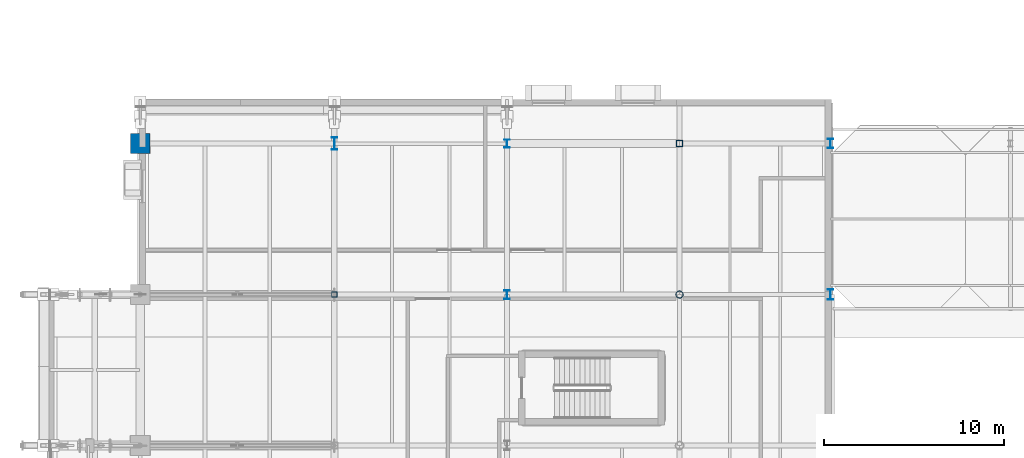
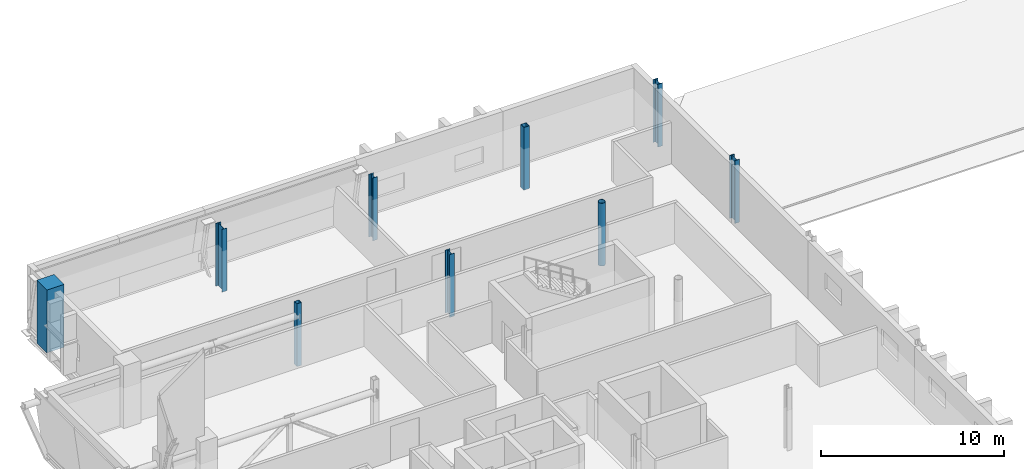
# One storey, part 3 of 90: 9 columns.
"""IFC4 building model written with IfcOpenShell, lengths in metres."""

import ifcopenshell
import ifcopenshell.guid

model = None  # the IFC model being written
_history = None  # IfcOwnerHistory: only IFC2X3 demands one
_inside = {}  # id of a spatial element -> (the spatial element, [elements in it])
_under = {}  # id of a project, library or spatial element -> (it, [spatial elements below it])
_declared = {}  # id of a project -> (the project, [libraries it declares])
_typed = {}  # id of a type object -> (the type object, [elements of that type])
_made_of = {}  # id of a material, layer set ... -> (it, [elements and type objects made of it])


def new_model(schema):
    """Start an empty IFC model of exactly this schema.

    Asked for "IFC4X3", IfcOpenShell would pick the latest addendum, in which some entities
    have other attributes; the version numbers below select the first issue.
    IFC2X3 requires an IfcOwnerHistory on every rooted entity: one is made here for all.
    """
    global model, _history
    if schema == "IFC4X3":
        model = ifcopenshell.file(schema_version=(4, 3, 0, 0))
    else:
        model = ifcopenshell.file(schema=schema)
    _inside.clear()
    _under.clear()
    _declared.clear()
    _typed.clear()
    _made_of.clear()
    _history = None
    if model.schema == "IFC2X3":
        org = make("IfcOrganization", Name="unknown")
        user = make(
            "IfcPersonAndOrganization",
            ThePerson=make("IfcPerson", FamilyName="unknown"),
            TheOrganization=org,
        )
        app = make(
            "IfcApplication",
            ApplicationDeveloper=org,
            Version="unknown",
            ApplicationFullName="unknown",
            ApplicationIdentifier="unknown",
        )
        _history = make(
            "IfcOwnerHistory",
            OwningUser=user,
            OwningApplication=app,
            ChangeAction="ADDED",
            CreationDate=0,
        )
    return model


def make(cls, **values):
    """One entity of the class cls with the attributes given. An attribute that is None is left unset."""
    return model.create_entity(
        cls, **{name: value for name, value in values.items() if value is not None}
    )


def rooted(cls, **values):
    """An entity with a GlobalId (a new one), such as an element, a storey or a relation."""
    return make(cls, GlobalId=ifcopenshell.guid.new(), OwnerHistory=_history, **values)


def si_unit(unit_type, name, prefix=None):
    """IfcSIUnit, for example si_unit("LENGTHUNIT", "METRE", prefix="MILLI")."""
    return make("IfcSIUnit", UnitType=unit_type, Prefix=prefix, Name=name)


def assignment(units):
    """IfcUnitAssignment: the units of a project."""
    return None if units is None else make("IfcUnitAssignment", Units=units)


def point(xyz):
    """IfcCartesianPoint."""
    return None if xyz is None else make("IfcCartesianPoint", Coordinates=xyz)


def direction(xyz):
    """IfcDirection."""
    return None if xyz is None else make("IfcDirection", DirectionRatios=xyz)


def frame(location, z_axis=None, x_axis=None):
    """IfcAxis2Placement3D, a coordinate frame: its origin and axes. An axis left out is left unset."""
    return make(
        "IfcAxis2Placement3D",
        Location=point(location),
        Axis=direction(z_axis),
        RefDirection=direction(x_axis),
    )


def frame_2d(location, x_axis=None):
    """IfcAxis2Placement2D, a coordinate frame in the plane: its origin and x axis."""
    return make(
        "IfcAxis2Placement2D", Location=point(location), RefDirection=direction(x_axis)
    )


def origin():
    """The frame at (0, 0, 0) with its axes left unset."""
    return frame((0.0, 0.0, 0.0))


def origin_2d():
    """The frame at (0, 0) in the plane with its x axis left unset."""
    return frame_2d((0.0, 0.0))


def place(relative_to, where):
    """IfcLocalPlacement: puts the frame where relative to a parent placement (None: the world)."""
    return make(
        "IfcLocalPlacement", PlacementRelTo=relative_to, RelativePlacement=where
    )


def context(
    kind, dimensions, precision=None, world=None, true_north=None, identifier=None
):
    """IfcGeometricRepresentationContext, for example the 3D "Model" context."""
    return make(
        "IfcGeometricRepresentationContext",
        ContextIdentifier=identifier,
        ContextType=kind,
        CoordinateSpaceDimension=dimensions,
        Precision=precision,
        WorldCoordinateSystem=world,
        TrueNorth=true_north,
    )


def subcontext(parent, identifier, kind, view, scale=None):
    """IfcGeometricRepresentationSubContext, for example "Body" below "Model"."""
    return make(
        "IfcGeometricRepresentationSubContext",
        ContextIdentifier=identifier,
        ContextType=kind,
        ParentContext=parent,
        TargetScale=scale,
        TargetView=view,
    )


def project(units=None, contexts=None):
    """IfcProject with its units and contexts."""
    return rooted(
        "IfcProject",
        Name="project",
        RepresentationContexts=contexts,
        UnitsInContext=assignment(units),
    )


def spatial(cls, under=None, at=None, **own):
    """A site, building, storey or space (cls), placed at a placement, below another one or the project."""
    s = rooted(cls, ObjectPlacement=at, **own)
    if under is not None:
        _under.setdefault(under.id(), (under, []))[1].append(s)
    return s


def profile(cls, at=None, kind="AREA", **sizes):
    """A parametric profile (cls). Its sizes go by their IFC names, for example OverallWidth=200.0."""
    return make(cls, ProfileType=kind, Position=at, **sizes)


def rectangle(**sizes):
    """IfcRectangleProfileDef."""
    return profile("IfcRectangleProfileDef", **sizes)


def hollow_rectangle(**sizes):
    """IfcRectangleHollowProfileDef."""
    return profile("IfcRectangleHollowProfileDef", **sizes)


def hollow_circle(**sizes):
    """IfcCircleHollowProfileDef."""
    return profile("IfcCircleHollowProfileDef", **sizes)


def i_section(**sizes):
    """IfcIShapeProfileDef."""
    return profile("IfcIShapeProfileDef", **sizes)


def extrude(swept, where, along, depth):
    """IfcExtrudedAreaSolid: the profile swept, set in the frame where, extruded along a direction by depth."""
    return make(
        "IfcExtrudedAreaSolid",
        SweptArea=swept,
        Position=where,
        ExtrudedDirection=direction(along),
        Depth=depth,
    )


def shape(context_of_items, identifier, shape_type, items):
    """IfcShapeRepresentation: the items that make up one representation, for example the "Body"."""
    return make(
        "IfcShapeRepresentation",
        ContextOfItems=context_of_items,
        RepresentationIdentifier=identifier,
        RepresentationType=shape_type,
        Items=items,
    )


def material(Name=None, Category=None):
    """IfcMaterial."""
    return make("IfcMaterial", Name=Name, Category=Category)


def material_profile(
    of_material, cross_section, Name=None, Category=None, Priority=None
):
    """IfcMaterialProfile: a cross section and its material."""
    return make(
        "IfcMaterialProfile",
        Name=Name,
        Material=of_material,
        Profile=cross_section,
        Priority=Priority,
        Category=Category,
    )


def profile_set(profiles, Name=None, composite=None):
    """IfcMaterialProfileSet."""
    return make(
        "IfcMaterialProfileSet",
        Name=Name,
        MaterialProfiles=profiles,
        CompositeProfile=composite,
    )


def made_of(thing, what):
    """Note that an element or type object is made of a material, layer set ...; save() writes the relation."""
    if what is not None:
        _made_of.setdefault(what.id(), (what, []))[1].append(thing)
    return thing


def type_object(cls, material=None, **own):
    """A type object (cls), such as IfcWallType, which elements share."""
    return made_of(rooted(cls, **own), material)


def element(
    cls,
    number,
    at=None,
    inside=None,
    cuts=None,
    type_object=None,
    material=None,
    context=None,
    identifier="Body",
    shape_type=None,
    held_by="IfcProductDefinitionShape",
    body=None,
    shapes=None,
    **own,
):
    """One element of the class cls, such as IfcWall. Its Tag is "e" and its number.

    at: its placement. inside: the storey or other place that contains it. cuts: it is an
    opening in that element (IfcRelVoidsElement). A single representation is given by context,
    identifier, shape_type and body (its items); several are given by shapes. held_by: the class
    of the entity that holds the representations. save() writes the other relations.
    """
    e = rooted(cls, Tag="e%d" % number, ObjectPlacement=at, **own)
    if body is not None:
        shapes = [shape(context, identifier, shape_type, body)]
    if shapes is not None:
        e.Representation = make(held_by, Representations=shapes)
    if inside is not None:
        _inside.setdefault(inside.id(), (inside, []))[1].append(e)
    if cuts is not None:
        rooted(
            "IfcRelVoidsElement", RelatingBuildingElement=cuts, RelatedOpeningElement=e
        )
    if type_object is not None:
        _typed.setdefault(type_object.id(), (type_object, []))[1].append(e)
    return made_of(e, material)


def aggregate(whole, parts):
    """IfcRelAggregates: a whole, such as a stair, and the parts it consists of."""
    return rooted("IfcRelAggregates", RelatingObject=whole, RelatedObjects=parts)


def save(model, path):
    """Write the relations noted so far, then the file.

    IfcRelAggregates (storeys below a building ...), IfcRelContainedInSpatialStructure (elements
    in a storey), IfcRelDefinesByType, IfcRelAssociatesMaterial and IfcRelDeclares: one each for
    every whole, place, type object, material and project.
    """
    for whole, parts in _under.values():
        aggregate(whole, parts)
    for where, things in _inside.values():
        rooted(
            "IfcRelContainedInSpatialStructure",
            RelatedElements=things,
            RelatingStructure=where,
        )
    for kind, things in _typed.values():
        rooted("IfcRelDefinesByType", RelatedObjects=things, RelatingType=kind)
    for what, things in _made_of.values():
        rooted("IfcRelAssociatesMaterial", RelatedObjects=things, RelatingMaterial=what)
    for by, libraries in _declared.values():
        rooted("IfcRelDeclares", RelatingContext=by, RelatedDefinitions=libraries)
    model.write(path)


model = new_model("IFC4")

# Units and contexts
model_context = context("Model", 3, precision=1e-05, world=origin(), true_north=direction((0.0, 1.0)))
body_context = subcontext(model_context, "Body", "Model", "MODEL_VIEW")
ifc_project = project(units=[si_unit("LENGTHUNIT", "METRE"), si_unit("AREAUNIT", "SQUARE_METRE"), si_unit("VOLUMEUNIT", "CUBIC_METRE"), si_unit("PLANEANGLEUNIT", "RADIAN"), si_unit("MASSUNIT", "GRAM", prefix="KILO")], contexts=[model_context])

# Site, building, storey
site_placement = place(None, origin())
site = spatial("IfcSite", under=ifc_project, at=site_placement, CompositionType="ELEMENT")
building_placement = place(site_placement, origin())
building = spatial("IfcBuilding", under=site, at=building_placement, Name="Zereglee Splitstone Museum", CompositionType="ELEMENT")
storey_placement = place(building_placement, frame((0.0, 0.0, 4.800048828125)))
storey = spatial("IfcBuildingStorey", under=building, at=storey_placement, Name="L01", CompositionType="ELEMENT", Elevation=4.800048828125)

# Columns
ifc_material_1 = material(Name="Concrete C45/55", Category="concrete")
ifc_material_profile_1 = material_profile(ifc_material_1, rectangle(XDim=1.10009765625, YDim=1.10009765625, at=origin_2d()), Name="RC 1100x1100")
ifc_profile_set_1 = profile_set([ifc_material_profile_1], Name="Concrete C45/55")
column_type_1 = type_object("IfcColumnType", Name="C-01", PredefinedType="COLUMN", material=ifc_profile_set_1)
column_1_placement = place(storey_placement, frame((9.60009765625, 38.39990234375, 0.0), z_axis=(0.0, 0.0, 1.0), x_axis=(1.0, 0.0, 0.0)))
element("IfcColumn", 1, at=column_1_placement, inside=storey, type_object=column_type_1, Name="Column 2/E L01", PredefinedType="COLUMN", context=body_context, shape_type="SweptSolid", body=[
    extrude(rectangle(XDim=1.10009765625, YDim=1.10009765625, at=origin_2d()), origin(), (0.0, 0.0, 1.0), 4.199951171875),
])
ifc_material_2 = material(Name="Steel S355J2H", Category="steel")
ifc_material_profile_2 = material_profile(ifc_material_2, hollow_circle(Radius=0.203125, WallThickness=0.02001953125, at=origin_2d()), Name="CHS 406.4x20")
ifc_profile_set_2 = profile_set([ifc_material_profile_2], Name="Steel S355J2H")
column_type_2 = type_object("IfcColumnType", Name="C-18", PredefinedType="COLUMN", material=ifc_profile_set_2)
column_2_placement = place(storey_placement, frame((39.60009765625, 30.0, 0.0), z_axis=(0.0, 0.0, 1.0), x_axis=(1.0, 0.0, 0.0)))
element("IfcColumn", 2, at=column_2_placement, inside=storey, type_object=column_type_2, Name="Column 6/D L01", PredefinedType="COLUMN", context=body_context, shape_type="SweptSolid", body=[
    extrude(hollow_circle(Radius=0.203125, WallThickness=0.02001953125, at=origin_2d()), origin(), (0.0, 0.0, 1.0), 4.199951171875),
])
ifc_material_3 = material(Name="Steel S355J2", Category="steel")
ifc_material_profile_3 = material_profile(ifc_material_3, i_section(OverallWidth=0.300048828125, OverallDepth=0.449951171875, WebThickness=0.013916015625, FlangeThickness=0.02587890625, FilletRadius=0.027099609375, at=origin_2d()), Name="HE 450 B")
ifc_profile_set_3 = profile_set([ifc_material_profile_3], Name="Steel S355J2")
column_type_3 = type_object("IfcColumnType", Name="C-14", PredefinedType="COLUMN", material=ifc_profile_set_3)
column_3_placement = place(storey_placement, frame((30.0, 38.39990234375, 0.0), z_axis=(0.0, 0.0, 1.0), x_axis=(1.0, 0.0, 0.0)))
element("IfcColumn", 3, at=column_3_placement, inside=storey, type_object=column_type_3, Name="Column 5/E L01", PredefinedType="COLUMN", context=body_context, shape_type="SweptSolid", body=[
    extrude(i_section(OverallWidth=0.300048828125, OverallDepth=0.449951171875, WebThickness=0.013916015625, FlangeThickness=0.02587890625, FilletRadius=0.027099609375, at=origin_2d()), origin(), (0.0, 0.0, 1.0), 4.199951171875),
])
ifc_material_profile_4 = material_profile(ifc_material_3, i_section(OverallWidth=0.300048828125, OverallDepth=0.5, WebThickness=0.014404296875, FlangeThickness=0.028076171875, FilletRadius=0.027099609375, at=origin_2d()), Name="HE 500 B")
ifc_profile_set_4 = profile_set([ifc_material_profile_4], Name="Steel S355J2")
column_type_4 = type_object("IfcColumnType", Name="C-13", PredefinedType="COLUMN", material=ifc_profile_set_4)
column_4_placement = place(storey_placement, frame((30.0, 30.0, 0.0), z_axis=(0.0, 0.0, 1.0), x_axis=(1.0, 0.0, 0.0)))
element("IfcColumn", 4, at=column_4_placement, inside=storey, type_object=column_type_4, Name="Column 5/D L01", PredefinedType="COLUMN", context=body_context, shape_type="SweptSolid", body=[
    extrude(i_section(OverallWidth=0.300048828125, OverallDepth=0.5, WebThickness=0.014404296875, FlangeThickness=0.028076171875, FilletRadius=0.027099609375, at=origin_2d()), origin(), (0.0, 0.0, 1.0), 4.199951171875),
])
ifc_material_profile_5 = material_profile(ifc_material_3, i_section(OverallWidth=0.300048828125, OverallDepth=0.550048828125, WebThickness=0.014892578125, FlangeThickness=0.029052734375, FilletRadius=0.027099609375, at=origin_2d()), Name="HE 550 B")
ifc_profile_set_5 = profile_set([ifc_material_profile_5], Name="Steel S355J2")
column_type_5 = type_object("IfcColumnType", Name="C-12", PredefinedType="COLUMN", material=ifc_profile_set_5)
column_5_placement = place(storey_placement, frame((48.0, 38.39990234375, 0.0), z_axis=(0.0, 0.0, 1.0), x_axis=(1.0, 0.0, 0.0)))
element("IfcColumn", 5, at=column_5_placement, inside=storey, type_object=column_type_5, Name="Column 7/E L01", PredefinedType="COLUMN", context=body_context, shape_type="SweptSolid", body=[
    extrude(i_section(OverallWidth=0.300048828125, OverallDepth=0.550048828125, WebThickness=0.014892578125, FlangeThickness=0.029052734375, FilletRadius=0.027099609375, at=origin_2d()), origin(), (0.0, 0.0, 1.0), 4.199951171875),
])
ifc_material_profile_6 = material_profile(ifc_material_3, i_section(OverallWidth=0.300048828125, OverallDepth=0.60009765625, WebThickness=0.015380859375, FlangeThickness=0.030029296875, FilletRadius=0.027099609375, at=origin_2d()), Name="HE 600 B")
ifc_profile_set_6 = profile_set([ifc_material_profile_6], Name="Steel S355J2")
column_type_6 = type_object("IfcColumnType", Name="C-11", PredefinedType="COLUMN", material=ifc_profile_set_6)
column_6_placement = place(storey_placement, frame((48.0, 30.0, 0.0), z_axis=(0.0, 0.0, 1.0), x_axis=(1.0, 0.0, 0.0)))
element("IfcColumn", 6, at=column_6_placement, inside=storey, type_object=column_type_6, Name="Column 7/D L01", PredefinedType="COLUMN", context=body_context, shape_type="SweptSolid", body=[
    extrude(i_section(OverallWidth=0.300048828125, OverallDepth=0.60009765625, WebThickness=0.015380859375, FlangeThickness=0.030029296875, FilletRadius=0.027099609375, at=origin_2d()), origin(), (0.0, 0.0, 1.0), 4.199951171875),
])
ifc_material_profile_7 = material_profile(ifc_material_3, i_section(OverallWidth=0.300048828125, OverallDepth=0.699951171875, WebThickness=0.01708984375, FlangeThickness=0.031982421875, FilletRadius=0.027099609375, at=origin_2d()), Name="HE 700 B")
ifc_profile_set_7 = profile_set([ifc_material_profile_7], Name="Steel S355J2")
column_type_7 = type_object("IfcColumnType", Name="C-09", PredefinedType="COLUMN", material=ifc_profile_set_7)
column_7_placement = place(storey_placement, frame((20.39990234375, 38.39990234375, 0.0), z_axis=(0.0, 0.0, 1.0), x_axis=(1.0, 0.0, 0.0)))
element("IfcColumn", 7, at=column_7_placement, inside=storey, type_object=column_type_7, Name="Column 4/E L01", PredefinedType="COLUMN", context=body_context, shape_type="SweptSolid", body=[
    extrude(i_section(OverallWidth=0.300048828125, OverallDepth=0.699951171875, WebThickness=0.01708984375, FlangeThickness=0.031982421875, FilletRadius=0.027099609375, at=origin_2d()), origin(), (0.0, 0.0, 1.0), 4.199951171875),
])
ifc_material_profile_8 = material_profile(ifc_material_2, hollow_rectangle(XDim=0.300048828125, YDim=0.300048828125, WallThickness=0.01611328125, at=origin_2d()), Name="SHS 300x300x16")
ifc_profile_set_8 = profile_set([ifc_material_profile_8], Name="Steel S355J2H")
column_type_8 = type_object("IfcColumnType", Name="C-20", PredefinedType="COLUMN", material=ifc_profile_set_8)
column_8_placement = place(storey_placement, frame((20.39990234375, 30.0, 0.0), z_axis=(0.0, 0.0, 1.0), x_axis=(1.0, 0.0, 0.0)))
element("IfcColumn", 8, at=column_8_placement, inside=storey, type_object=column_type_8, Name="Column 4/D L01", PredefinedType="COLUMN", context=body_context, shape_type="SweptSolid", body=[
    extrude(hollow_rectangle(XDim=0.300048828125, YDim=0.300048828125, WallThickness=0.01611328125, at=origin_2d()), origin(), (0.0, 0.0, 1.0), 4.199951171875),
])
ifc_material_profile_9 = material_profile(ifc_material_2, hollow_rectangle(XDim=0.35009765625, YDim=0.35009765625, WallThickness=0.01611328125, at=origin_2d()), Name="SHS 350x350x16")
ifc_profile_set_9 = profile_set([ifc_material_profile_9], Name="Steel S355J2H")
column_type_9 = type_object("IfcColumnType", Name="C-19", PredefinedType="COLUMN", material=ifc_profile_set_9)
column_9_placement = place(storey_placement, frame((39.60009765625, 38.39990234375, 0.0), z_axis=(0.0, 0.0, 1.0), x_axis=(1.0, 0.0, 0.0)))
element("IfcColumn", 9, at=column_9_placement, inside=storey, type_object=column_type_9, Name="Column 6/E L01", PredefinedType="COLUMN", context=body_context, shape_type="SweptSolid", body=[
    extrude(hollow_rectangle(XDim=0.35009765625, YDim=0.35009765625, WallThickness=0.01611328125, at=origin_2d()), origin(), (0.0, 0.0, 1.0), 4.199951171875),
])

save(model, "model.ifc")
